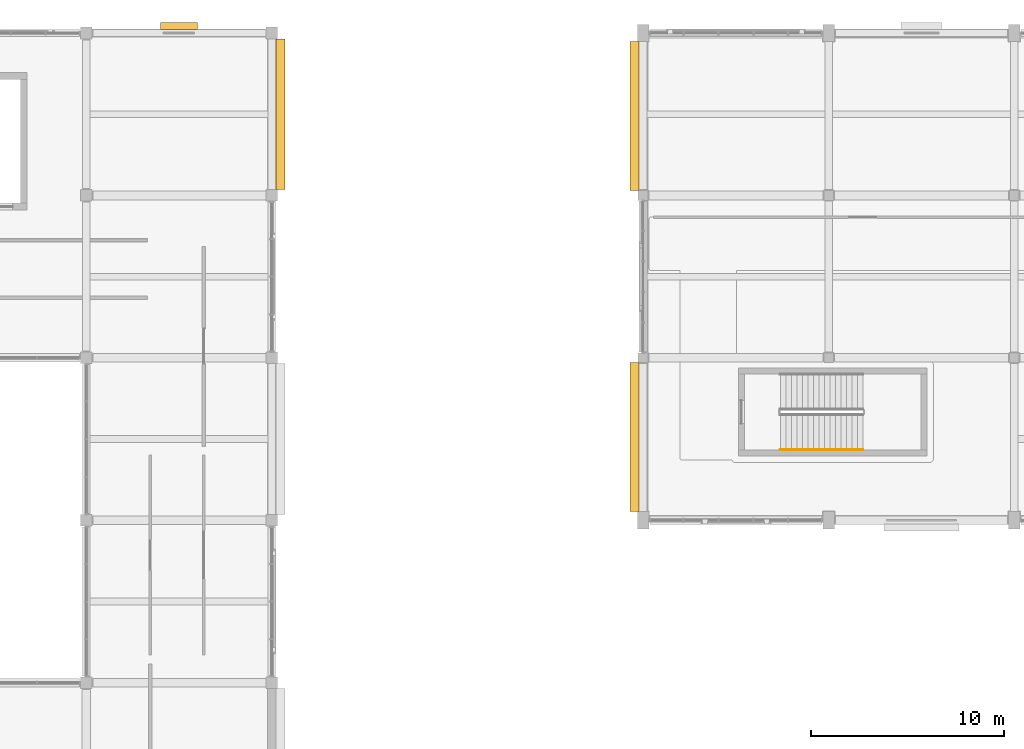
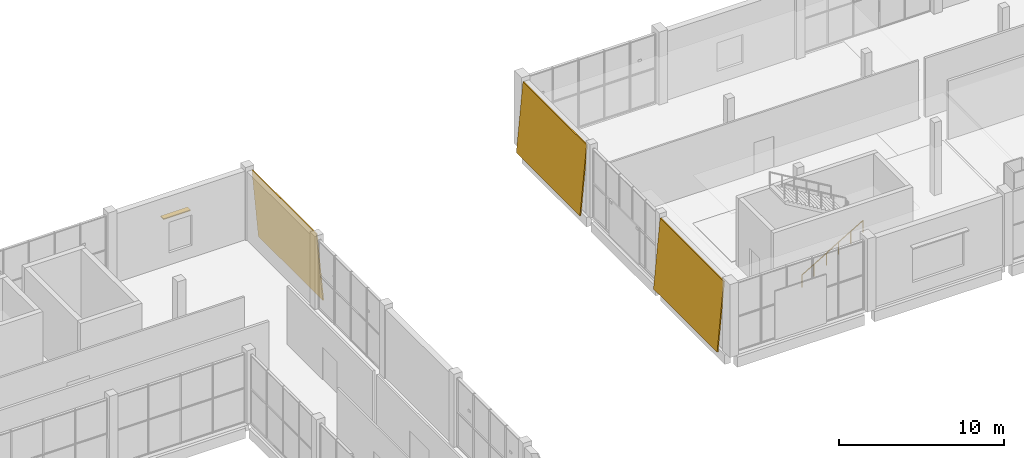
# One storey, part 75 of 83: 3 coverings, 1 railing, 1 shading device.
"""IFC4 building model written with IfcOpenShell, lengths in metres."""

from ifc_helpers import new_model, si_unit, direction, frame, origin, origin_2d, place, context, subcontext, project, spatial, polyline, rectangle, circle, outline, extrude, material, layer, layer_set, type_object, element, save


model = new_model("IFC4")

# Units and contexts
model_context = context("Model", 3, precision=1e-05, world=origin(), true_north=direction((0.0, 1.0)))
body_context = subcontext(model_context, "Body", "Model", "MODEL_VIEW")
ifc_project = project(units=[si_unit("LENGTHUNIT", "METRE"), si_unit("AREAUNIT", "SQUARE_METRE"), si_unit("VOLUMEUNIT", "CUBIC_METRE"), si_unit("PLANEANGLEUNIT", "RADIAN"), si_unit("MASSUNIT", "GRAM", prefix="KILO")], contexts=[model_context])

# Site, building, storey
site_placement = place(None, origin())
site = spatial("IfcSite", under=ifc_project, at=site_placement, CompositionType="ELEMENT")
building_placement = place(site_placement, origin())
building = spatial("IfcBuilding", under=site, at=building_placement, Name="Shalvenor Court Art Gallery", CompositionType="ELEMENT")
storey_placement = place(building_placement, frame((0.0, 0.0, 6.0)))
storey = spatial("IfcBuildingStorey", under=building, at=storey_placement, Name="L01", CompositionType="ELEMENT", Elevation=6.0)

# Coverings
ifc_material_1 = material(Name="Pale Mediterranean limestone cladding", Category="masonry")
ifc_layer_1 = layer(ifc_material_1, 0.080078125, Name="Pale Mediterranean limestone cladding")
ifc_layer_set_1 = layer_set([ifc_layer_1], Name="Pale Mediterranean limestone cladding")
covering_type_1 = type_object("IfcCoveringType", Name="CLD-01", PredefinedType="CLADDING", material=ifc_layer_set_1)
covering_1_placement = place(storey_placement, frame((56.927734375, 105.35009765625, 0.0), z_axis=(0.0, 0.0, 1.0), x_axis=(0.0, -1.0, 0.0)))
element("IfcCovering", 1, at=covering_1_placement, inside=storey, type_object=covering_type_1, Name="L01 V2 Tapered Limestone Cladding 34", PredefinedType="CLADDING", context=body_context, shape_type="SweptSolid", body=[
    extrude(outline(polyline([(0.0, 0.0), (7.7001953125, 0.0), (7.7001953125, 5.10107421875), (0.0, 5.10107421875), (0.0, 0.0)])), frame((0.0, 0.0, 0.0), z_axis=(0.0, -0.995884398616, 0.090632580198), x_axis=(1.0, 0.0, 0.0)), (0.0, 0.090632580198, -0.995884398616), 0.080322265625),
])
covering_2_placement = place(storey_placement, frame((56.927734375, 121.949951171875, 0.0), z_axis=(0.0, 0.0, 1.0), x_axis=(0.0, -1.0, 0.0)))
element("IfcCovering", 2, at=covering_2_placement, inside=storey, type_object=covering_type_1, Name="L01 V2 Tapered Limestone Cladding 35", PredefinedType="CLADDING", context=body_context, shape_type="SweptSolid", body=[
    extrude(outline(polyline([(0.0, 0.0), (7.699951171875, 0.0), (7.699951171875, 5.10107421875), (0.0, 5.10107421875), (0.0, 0.0)])), frame((0.0, 0.0, 0.0), z_axis=(0.0, -0.995884398616, 0.090632580198), x_axis=(1.0, 0.0, 0.0)), (0.0, 0.090632580198, -0.995884398616), 0.080322265625),
])
ifc_material_2 = material(Name="Honed Jerusalem limestone cladding", Category="masonry")
ifc_layer_2 = layer(ifc_material_2, 0.06494140625, Name="Honed Jerusalem limestone cladding")
ifc_layer_set_2 = layer_set([ifc_layer_2], Name="Honed Jerusalem limestone cladding")
covering_type_2 = type_object("IfcCoveringType", Name="CLD-02", PredefinedType="CLADDING", material=ifc_layer_set_2)
covering_3_placement = place(storey_placement, frame((39.072265625, 114.300048828125, 0.0), z_axis=(0.0, 0.0, 1.0), x_axis=(0.0, 1.0, 0.0)))
element("IfcCovering", 3, at=covering_3_placement, inside=storey, type_object=covering_type_2, Name="L01 V5 Tapered Limestone Cladding 100", PredefinedType="CLADDING", context=body_context, shape_type="SweptSolid", body=[
    extrude(outline(polyline([(0.0, 0.0), (7.800048828125, 0.0), (7.800048828125, 5.10107421875), (0.0, 5.10107421875), (0.0, 0.0)])), frame((0.0, 0.0, 0.0), z_axis=(0.0, -0.995884398616, 0.090632580198), x_axis=(1.0, 0.0, 0.0)), (0.0, 0.090632580198, -0.995884398616), 0.080322265625),
])

# Railing
ifc_material_3 = material(Name="Brushed stainless steel handrail", Category="steel")
railing_type = type_object("IfcRailingType", Name="HR-01", PredefinedType="HANDRAIL", material=ifc_material_3)
railing_placement = place(storey_placement, frame((64.699951171875, 100.85009765625, 0.168701171875)))
element("IfcRailing", 4, at=railing_placement, inside=storey, type_object=railing_type, Name="L01 ST-09 Stair Handrail 1", PredefinedType="HANDRAIL", context=body_context, shape_type="SweptSolid", body=[
    extrude(circle(Radius=0.02392578125, at=origin_2d()), frame((0.0, 0.0, 0.8759765625), z_axis=(0.860483042394, 0.0, 0.50947908078), x_axis=(0.0, 1.0, 0.0)), (0.0, 0.0, 1.0), 4.96826171875),
    extrude(circle(Radius=0.02099609375, at=origin_2d()), origin(), (0.0, 0.0, 1.0), 0.851806640625),
    extrude(circle(Radius=0.02099609375, at=origin_2d()), frame((0.85498046875, 0.0, 0.50634765625)), (0.0, 0.0, 1.0), 0.851806640625),
    extrude(circle(Radius=0.02099609375, at=origin_2d()), frame((1.7099609375, 0.0, 1.012451171875)), (0.0, 0.0, 1.0), 0.851806640625),
    extrude(circle(Radius=0.02099609375, at=origin_2d()), frame((2.565185546875, 0.0, 1.518798828125)), (0.0, 0.0, 1.0), 0.851806640625),
    extrude(circle(Radius=0.02099609375, at=origin_2d()), frame((3.420166015625, 0.0, 2.02490234375)), (0.0, 0.0, 1.0), 0.851806640625),
    extrude(circle(Radius=0.02099609375, at=origin_2d()), frame((4.275146484375, 0.0, 2.53125)), (0.0, 0.0, 1.0), 0.851806640625),
])

# Shading device
ifc_material_4 = material(Name="Dark anodised bronze aluminium louvre", Category="aluminium")
shading_device_type = type_object("IfcShadingDeviceType", Name="SHD-01", PredefinedType="JALOUSIE", material=ifc_material_4)
shading_device_placement = place(storey_placement, frame((33.60009765625, 122.77001953125, 3.14990234375), z_axis=(0.0, 0.0, 1.0), x_axis=(1.0, 0.0, 0.0)))
element("IfcShadingDevice", 5, at=shading_device_placement, inside=storey, type_object=shading_device_type, Name="L01 Koushi Window Sunshade 59", PredefinedType="JALOUSIE", context=body_context, shape_type="SweptSolid", body=[
    extrude(rectangle(XDim=1.89990234375, YDim=0.360107421875, at=origin_2d()), origin(), (0.0, 0.0, 1.0), 0.080078125),
])

save(model, "model.ifc")
